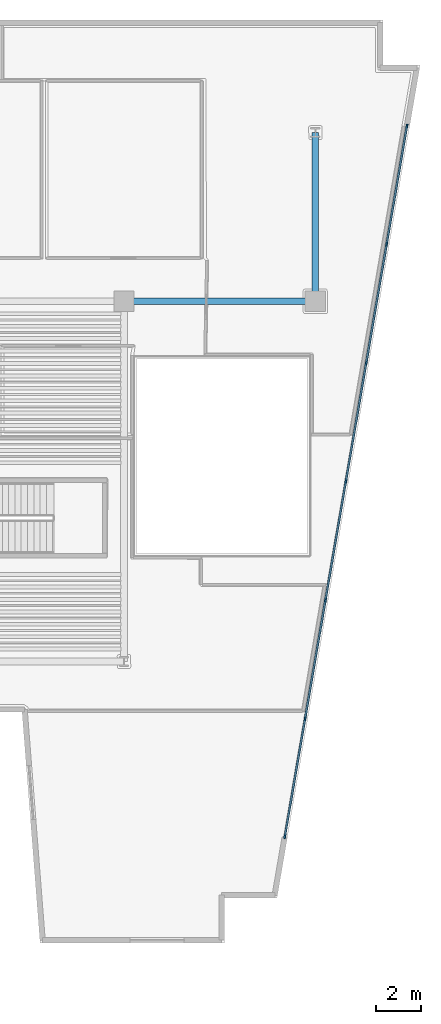
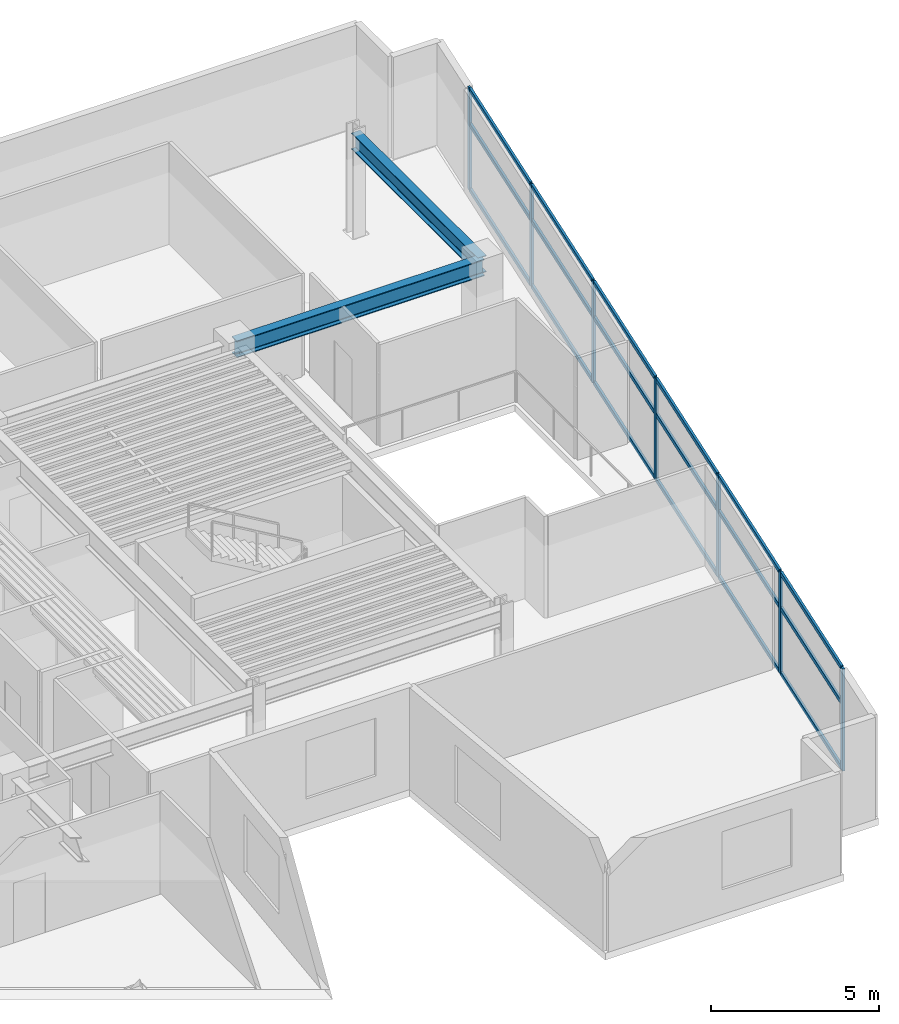
# One storey, part 2 of 9: 25 members, 2 beams, 1 element without a shape of its own.
"""IFC4 building model written with IfcOpenShell, lengths in metres."""

from ifc_helpers import new_model, si_unit, direction, frame, origin, origin_2d, place, context, subcontext, project, spatial, rectangle, i_section, extrude, material, layer, layer_set, material_profile, profile_set, type_object, element, aggregate, save


model = new_model("IFC4")

# Units and contexts
model_context = context("Model", 3, precision=1e-05, world=origin(), true_north=direction((0.0, 1.0)))
body_context = subcontext(model_context, "Body", "Model", "MODEL_VIEW")
ifc_project = project(units=[si_unit("LENGTHUNIT", "METRE"), si_unit("AREAUNIT", "SQUARE_METRE"), si_unit("VOLUMEUNIT", "CUBIC_METRE"), si_unit("PLANEANGLEUNIT", "RADIAN"), si_unit("MASSUNIT", "GRAM", prefix="KILO")], contexts=[model_context])

# Site, building, storey
site_placement = place(None, origin())
site = spatial("IfcSite", under=ifc_project, at=site_placement, CompositionType="ELEMENT")
building_placement = place(site_placement, origin())
building = spatial("IfcBuilding", under=site, at=building_placement, Name="Caeloran Harvest Quay", CompositionType="ELEMENT")
storey_placement = place(building_placement, frame((0.0, 0.0, 215.35009765625)))
storey = spatial("IfcBuildingStorey", under=building, at=storey_placement, Name="L51", CompositionType="ELEMENT", Elevation=215.35009765625)

# Beams
ifc_material_1 = material(Name="Steel S355J2", Category="steel")
ifc_material_profile_1 = material_profile(ifc_material_1, i_section(OverallWidth=0.300048828125, OverallDepth=0.60009765625, WebThickness=0.015380859375, FlangeThickness=0.030029296875, FilletRadius=0.027099609375, at=origin_2d()), Name="HE 600 B")
ifc_profile_set_1 = profile_set([ifc_material_profile_1], Name="Steel S355J2")
beam_type = type_object("IfcBeamType", Name="BM-PG-3-HE_600_B", PredefinedType="BEAM", material=ifc_profile_set_1)
beam_1_placement = place(storey_placement, frame((34.0, 31.0, 3.39990234375), z_axis=(1.0, 0.0, 0.0), x_axis=(0.0, 1.0, 0.0)))
element("IfcBeam", 1, at=beam_1_placement, inside=storey, type_object=beam_type, Name="L51 Primary East-West Girder Y=31.0", PredefinedType="BEAM", context=body_context, shape_type="SweptSolid", body=[
    extrude(i_section(OverallWidth=0.300048828125, OverallDepth=0.60009765625, WebThickness=0.015380859375, FlangeThickness=0.030029296875, FilletRadius=0.027099609375, at=origin_2d()), origin(), (0.0, 0.0, 1.0), 8.5),
])
beam_2_placement = place(storey_placement, frame((42.5, 31.0, 3.39990234375), z_axis=(0.0, 1.0, 0.0), x_axis=(-1.0, 0.0, 0.0)))
element("IfcBeam", 2, at=beam_2_placement, inside=storey, type_object=beam_type, Name="L51 Primary North-South Girder X=42.5", PredefinedType="BEAM", context=body_context, shape_type="SweptSolid", body=[
    extrude(i_section(OverallWidth=0.300048828125, OverallDepth=0.60009765625, WebThickness=0.015380859375, FlangeThickness=0.030029296875, FilletRadius=0.027099609375, at=origin_2d()), origin(), (0.0, 0.0, 1.0), 7.5),
])

# Curtain wall, members
ifc_material_2 = material(Name="Aluminium 6063-T6 and Low-E Glazing", Category="aluminium")
ifc_layer = layer(ifc_material_2, 0.2099609375, Name="Aluminium 6063-T6 and Low-E Glazing")
ifc_layer_set = layer_set([ifc_layer], Name="Aluminium 6063-T6 and Low-E Glazing")
curtain_wall_type = type_object("IfcCurtainWallType", Name="CW-SYS-CW-4", PredefinedType="USERDEFINED", material=ifc_layer_set)
curtain_wall_placement = place(storey_placement, origin())
curtain_wall = element("IfcCurtainWall", 3, at=curtain_wall_placement, inside=storey, type_object=curtain_wall_type, Name="L51 Unitised Curtain Wall CW-4 Run 9", ObjectType="CURTAIN_WALL", PredefinedType="USERDEFINED")
ifc_material_3 = material(Name="Aluminium 6063-T6", Category="aluminium")
ifc_material_profile_2 = material_profile(ifc_material_3, rectangle(XDim=0.080078125, YDim=0.179931640625, at=origin_2d()), Name="CW-MULLION-180")
ifc_profile_set_2 = profile_set([ifc_material_profile_2], Name="Aluminium 6063-T6")
member_type_1 = type_object("IfcMemberType", Name="CW-MULLION-180", PredefinedType="MULLION", material=ifc_profile_set_2)
member_1_placement = place(storey_placement, frame((46.566650390625, 38.778076171875, 0.0), z_axis=(0.0, 0.0, 1.0), x_axis=(0.985548890759, -0.169391215605, 0.0)))
member_1 = element("IfcMember", 4, at=member_1_placement, type_object=member_type_1, Name="CW-4 mullion 1", PredefinedType="MULLION", context=body_context, shape_type="SweptSolid", body=[
    extrude(rectangle(XDim=0.080078125, YDim=0.179931640625, at=origin_2d()), origin(), (0.0, 0.0, 1.0), 3.699951171875),
])
member_2_placement = place(storey_placement, frame((45.667236328125, 33.545166015625, 0.0), z_axis=(0.0, 0.0, 1.0), x_axis=(0.985548890759, -0.169391215605, 0.0)))
member_2 = element("IfcMember", 5, at=member_2_placement, type_object=member_type_1, Name="CW-4 mullion 2", PredefinedType="MULLION", context=body_context, shape_type="SweptSolid", body=[
    extrude(rectangle(XDim=0.080078125, YDim=0.179931640625, at=origin_2d()), origin(), (0.0, 0.0, 1.0), 3.699951171875),
])
member_3_placement = place(storey_placement, frame((44.760986328125, 28.2724609375, 0.0), z_axis=(0.0, 0.0, 1.0), x_axis=(0.985548890759, -0.169391215605, 0.0)))
member_3 = element("IfcMember", 6, at=member_3_placement, type_object=member_type_1, Name="CW-4 mullion 3", PredefinedType="MULLION", context=body_context, shape_type="SweptSolid", body=[
    extrude(rectangle(XDim=0.080078125, YDim=0.179931640625, at=origin_2d()), origin(), (0.0, 0.0, 1.0), 3.699951171875),
])
member_4_placement = place(storey_placement, frame((43.854736328125, 23.0, 0.0), z_axis=(0.0, 0.0, 1.0), x_axis=(0.985548890759, -0.169391215605, 0.0)))
member_4 = element("IfcMember", 7, at=member_4_placement, type_object=member_type_1, Name="CW-4 mullion 4", PredefinedType="MULLION", context=body_context, shape_type="SweptSolid", body=[
    extrude(rectangle(XDim=0.080078125, YDim=0.179931640625, at=origin_2d()), origin(), (0.0, 0.0, 1.0), 3.699951171875),
])
member_5_placement = place(storey_placement, frame((42.948486328125, 17.7275390625, 0.0), z_axis=(0.0, 0.0, 1.0), x_axis=(0.985548890759, -0.169391215605, 0.0)))
member_5 = element("IfcMember", 8, at=member_5_placement, type_object=member_type_1, Name="CW-4 mullion 5", PredefinedType="MULLION", context=body_context, shape_type="SweptSolid", body=[
    extrude(rectangle(XDim=0.080078125, YDim=0.179931640625, at=origin_2d()), origin(), (0.0, 0.0, 1.0), 3.699951171875),
])
member_6_placement = place(storey_placement, frame((42.042236328125, 12.454833984375, 0.0), z_axis=(0.0, 0.0, 1.0), x_axis=(0.985548890759, -0.169391215605, 0.0)))
member_6 = element("IfcMember", 9, at=member_6_placement, type_object=member_type_1, Name="CW-4 mullion 6", PredefinedType="MULLION", context=body_context, shape_type="SweptSolid", body=[
    extrude(rectangle(XDim=0.080078125, YDim=0.179931640625, at=origin_2d()), origin(), (0.0, 0.0, 1.0), 3.699951171875),
])
member_7_placement = place(storey_placement, frame((41.142822265625, 7.221923828125, 0.0), z_axis=(0.0, 0.0, 1.0), x_axis=(0.985548890759, -0.169391215605, 0.0)))
member_7 = element("IfcMember", 10, at=member_7_placement, type_object=member_type_1, Name="CW-4 mullion 7", PredefinedType="MULLION", context=body_context, shape_type="SweptSolid", body=[
    extrude(rectangle(XDim=0.080078125, YDim=0.179931640625, at=origin_2d()), origin(), (0.0, 0.0, 1.0), 3.699951171875),
])
ifc_material_profile_3 = material_profile(ifc_material_3, rectangle(XDim=0.080078125, YDim=0.14990234375, at=origin_2d()), Name="CW-TRANSOM-150")
ifc_profile_set_3 = profile_set([ifc_material_profile_3], Name="Aluminium 6063-T6")
member_type_2 = type_object("IfcMemberType", Name="CW-TRANSOM-150", PredefinedType="USERDEFINED", material=ifc_profile_set_3)
member_8_placement = place(storey_placement, frame((46.559814453125, 38.73876953125, 0.039794921875), z_axis=(-0.169362876348, -0.985553761149, 0.0), x_axis=(0.985553761149, -0.169362876348, 0.0)))
member_8 = element("IfcMember", 11, at=member_8_placement, type_object=member_type_2, Name="CW-4 transom 1.1", ObjectType="TRANSOM", PredefinedType="USERDEFINED", context=body_context, shape_type="SweptSolid", body=[
    extrude(rectangle(XDim=0.080078125, YDim=0.14990234375, at=origin_2d()), origin(), (0.0, 0.0, 1.0), 5.229736328125),
])
member_9_placement = place(storey_placement, frame((46.559814453125, 38.73876953125, 2.39990234375), z_axis=(-0.169362876348, -0.985553761149, 0.0), x_axis=(0.985553761149, -0.169362876348, 0.0)))
member_9 = element("IfcMember", 12, at=member_9_placement, type_object=member_type_2, Name="CW-4 transom 1.2", ObjectType="TRANSOM", PredefinedType="USERDEFINED", context=body_context, shape_type="SweptSolid", body=[
    extrude(rectangle(XDim=0.080078125, YDim=0.14990234375, at=origin_2d()), origin(), (0.0, 0.0, 1.0), 5.229736328125),
])
member_10_placement = place(storey_placement, frame((46.559814453125, 38.73876953125, 3.659912109375), z_axis=(-0.169362876348, -0.985553761149, 0.0), x_axis=(0.985553761149, -0.169362876348, 0.0)))
member_10 = element("IfcMember", 13, at=member_10_placement, type_object=member_type_2, Name="CW-4 transom 1.3", ObjectType="TRANSOM", PredefinedType="USERDEFINED", context=body_context, shape_type="SweptSolid", body=[
    extrude(rectangle(XDim=0.080078125, YDim=0.14990234375, at=origin_2d()), origin(), (0.0, 0.0, 1.0), 5.229736328125),
])
member_11_placement = place(storey_placement, frame((45.660400390625, 33.505615234375, 0.039794921875), z_axis=(-0.169377856385, -0.985551186782, 0.0), x_axis=(0.985551186782, -0.169377856385, 0.0)))
member_11 = element("IfcMember", 14, at=member_11_placement, type_object=member_type_2, Name="CW-4 transom 2.1", ObjectType="TRANSOM", PredefinedType="USERDEFINED", context=body_context, shape_type="SweptSolid", body=[
    extrude(rectangle(XDim=0.080078125, YDim=0.14990234375, at=origin_2d()), origin(), (0.0, 0.0, 1.0), 5.269775390625),
])
member_12_placement = place(storey_placement, frame((45.660400390625, 33.505615234375, 2.39990234375), z_axis=(-0.169377856385, -0.985551186782, 0.0), x_axis=(0.985551186782, -0.169377856385, 0.0)))
member_12 = element("IfcMember", 15, at=member_12_placement, type_object=member_type_2, Name="CW-4 transom 2.2", ObjectType="TRANSOM", PredefinedType="USERDEFINED", context=body_context, shape_type="SweptSolid", body=[
    extrude(rectangle(XDim=0.080078125, YDim=0.14990234375, at=origin_2d()), origin(), (0.0, 0.0, 1.0), 5.269775390625),
])
member_13_placement = place(storey_placement, frame((45.660400390625, 33.505615234375, 3.659912109375), z_axis=(-0.169377856385, -0.985551186782, 0.0), x_axis=(0.985551186782, -0.169377856385, 0.0)))
member_13 = element("IfcMember", 16, at=member_13_placement, type_object=member_type_2, Name="CW-4 transom 2.3", ObjectType="TRANSOM", PredefinedType="USERDEFINED", context=body_context, shape_type="SweptSolid", body=[
    extrude(rectangle(XDim=0.080078125, YDim=0.14990234375, at=origin_2d()), origin(), (0.0, 0.0, 1.0), 5.269775390625),
])
member_14_placement = place(storey_placement, frame((44.754150390625, 28.233154296875, 0.039794921875), z_axis=(-0.169370123052, -0.985552515809, 0.0), x_axis=(0.985552515809, -0.169370123052, 0.0)))
member_14 = element("IfcMember", 17, at=member_14_placement, type_object=member_type_2, Name="CW-4 transom 3.1", ObjectType="TRANSOM", PredefinedType="USERDEFINED", context=body_context, shape_type="SweptSolid", body=[
    extrude(rectangle(XDim=0.080078125, YDim=0.14990234375, at=origin_2d()), origin(), (0.0, 0.0, 1.0), 5.27001953125),
])
member_15_placement = place(storey_placement, frame((44.754150390625, 28.233154296875, 2.39990234375), z_axis=(-0.169370123052, -0.985552515809, 0.0), x_axis=(0.985552515809, -0.169370123052, 0.0)))
member_15 = element("IfcMember", 18, at=member_15_placement, type_object=member_type_2, Name="CW-4 transom 3.2", ObjectType="TRANSOM", PredefinedType="USERDEFINED", context=body_context, shape_type="SweptSolid", body=[
    extrude(rectangle(XDim=0.080078125, YDim=0.14990234375, at=origin_2d()), origin(), (0.0, 0.0, 1.0), 5.27001953125),
])
member_16_placement = place(storey_placement, frame((44.754150390625, 28.233154296875, 3.659912109375), z_axis=(-0.169370123052, -0.985552515809, 0.0), x_axis=(0.985552515809, -0.169370123052, 0.0)))
member_16 = element("IfcMember", 19, at=member_16_placement, type_object=member_type_2, Name="CW-4 transom 3.3", ObjectType="TRANSOM", PredefinedType="USERDEFINED", context=body_context, shape_type="SweptSolid", body=[
    extrude(rectangle(XDim=0.080078125, YDim=0.14990234375, at=origin_2d()), origin(), (0.0, 0.0, 1.0), 5.27001953125),
])
member_17_placement = place(storey_placement, frame((43.847900390625, 22.960693359375, 0.039794921875), z_axis=(-0.169370123052, -0.985552515809, 0.0), x_axis=(0.985552515809, -0.169370123052, 0.0)))
member_17 = element("IfcMember", 20, at=member_17_placement, type_object=member_type_2, Name="CW-4 transom 4.1", ObjectType="TRANSOM", PredefinedType="USERDEFINED", context=body_context, shape_type="SweptSolid", body=[
    extrude(rectangle(XDim=0.080078125, YDim=0.14990234375, at=origin_2d()), origin(), (0.0, 0.0, 1.0), 5.27001953125),
])
member_18_placement = place(storey_placement, frame((43.847900390625, 22.960693359375, 2.39990234375), z_axis=(-0.169370123052, -0.985552515809, 0.0), x_axis=(0.985552515809, -0.169370123052, 0.0)))
member_18 = element("IfcMember", 21, at=member_18_placement, type_object=member_type_2, Name="CW-4 transom 4.2", ObjectType="TRANSOM", PredefinedType="USERDEFINED", context=body_context, shape_type="SweptSolid", body=[
    extrude(rectangle(XDim=0.080078125, YDim=0.14990234375, at=origin_2d()), origin(), (0.0, 0.0, 1.0), 5.27001953125),
])
member_19_placement = place(storey_placement, frame((43.847900390625, 22.960693359375, 3.659912109375), z_axis=(-0.169370123052, -0.985552515809, 0.0), x_axis=(0.985552515809, -0.169370123052, 0.0)))
member_19 = element("IfcMember", 22, at=member_19_placement, type_object=member_type_2, Name="CW-4 transom 4.3", ObjectType="TRANSOM", PredefinedType="USERDEFINED", context=body_context, shape_type="SweptSolid", body=[
    extrude(rectangle(XDim=0.080078125, YDim=0.14990234375, at=origin_2d()), origin(), (0.0, 0.0, 1.0), 5.27001953125),
])
member_20_placement = place(storey_placement, frame((42.941650390625, 17.68798828125, 0.039794921875), z_axis=(-0.169377856385, -0.985551186782, 0.0), x_axis=(0.985551186782, -0.169377856385, 0.0)))
member_20 = element("IfcMember", 23, at=member_20_placement, type_object=member_type_2, Name="CW-4 transom 5.1", ObjectType="TRANSOM", PredefinedType="USERDEFINED", context=body_context, shape_type="SweptSolid", body=[
    extrude(rectangle(XDim=0.080078125, YDim=0.14990234375, at=origin_2d()), origin(), (0.0, 0.0, 1.0), 5.269775390625),
])
member_21_placement = place(storey_placement, frame((42.941650390625, 17.68798828125, 2.39990234375), z_axis=(-0.169377856385, -0.985551186782, 0.0), x_axis=(0.985551186782, -0.169377856385, 0.0)))
member_21 = element("IfcMember", 24, at=member_21_placement, type_object=member_type_2, Name="CW-4 transom 5.2", ObjectType="TRANSOM", PredefinedType="USERDEFINED", context=body_context, shape_type="SweptSolid", body=[
    extrude(rectangle(XDim=0.080078125, YDim=0.14990234375, at=origin_2d()), origin(), (0.0, 0.0, 1.0), 5.269775390625),
])
member_22_placement = place(storey_placement, frame((42.941650390625, 17.68798828125, 3.659912109375), z_axis=(-0.169377856385, -0.985551186782, 0.0), x_axis=(0.985551186782, -0.169377856385, 0.0)))
member_22 = element("IfcMember", 25, at=member_22_placement, type_object=member_type_2, Name="CW-4 transom 5.3", ObjectType="TRANSOM", PredefinedType="USERDEFINED", context=body_context, shape_type="SweptSolid", body=[
    extrude(rectangle(XDim=0.080078125, YDim=0.14990234375, at=origin_2d()), origin(), (0.0, 0.0, 1.0), 5.269775390625),
])
member_23_placement = place(storey_placement, frame((42.03564453125, 12.41552734375, 0.039794921875), z_axis=(-0.169408218949, -0.985545968158, 0.0), x_axis=(0.985545968158, -0.169408218949, 0.0)))
member_23 = element("IfcMember", 26, at=member_23_placement, type_object=member_type_2, Name="CW-4 transom 6.1", ObjectType="TRANSOM", PredefinedType="USERDEFINED", context=body_context, shape_type="SweptSolid", body=[
    extrude(rectangle(XDim=0.080078125, YDim=0.14990234375, at=origin_2d()), origin(), (0.0, 0.0, 1.0), 5.22998046875),
])
member_24_placement = place(storey_placement, frame((42.03564453125, 12.41552734375, 2.39990234375), z_axis=(-0.169408218949, -0.985545968158, 0.0), x_axis=(0.985545968158, -0.169408218949, 0.0)))
member_24 = element("IfcMember", 27, at=member_24_placement, type_object=member_type_2, Name="CW-4 transom 6.2", ObjectType="TRANSOM", PredefinedType="USERDEFINED", context=body_context, shape_type="SweptSolid", body=[
    extrude(rectangle(XDim=0.080078125, YDim=0.14990234375, at=origin_2d()), origin(), (0.0, 0.0, 1.0), 5.22998046875),
])
member_25_placement = place(storey_placement, frame((42.03564453125, 12.41552734375, 3.659912109375), z_axis=(-0.169408218949, -0.985545968158, 0.0), x_axis=(0.985545968158, -0.169408218949, 0.0)))
member_25 = element("IfcMember", 28, at=member_25_placement, type_object=member_type_2, Name="CW-4 transom 6.3", ObjectType="TRANSOM", PredefinedType="USERDEFINED", context=body_context, shape_type="SweptSolid", body=[
    extrude(rectangle(XDim=0.080078125, YDim=0.14990234375, at=origin_2d()), origin(), (0.0, 0.0, 1.0), 5.22998046875),
])
aggregate(curtain_wall, [member_1, member_2, member_3, member_4, member_5, member_6, member_7, member_8, member_9, member_10, member_11, member_12, member_13, member_14, member_15, member_16, member_17, member_18, member_19, member_20, member_21, member_22, member_23, member_24, member_25])

save(model, "model.ifc")
